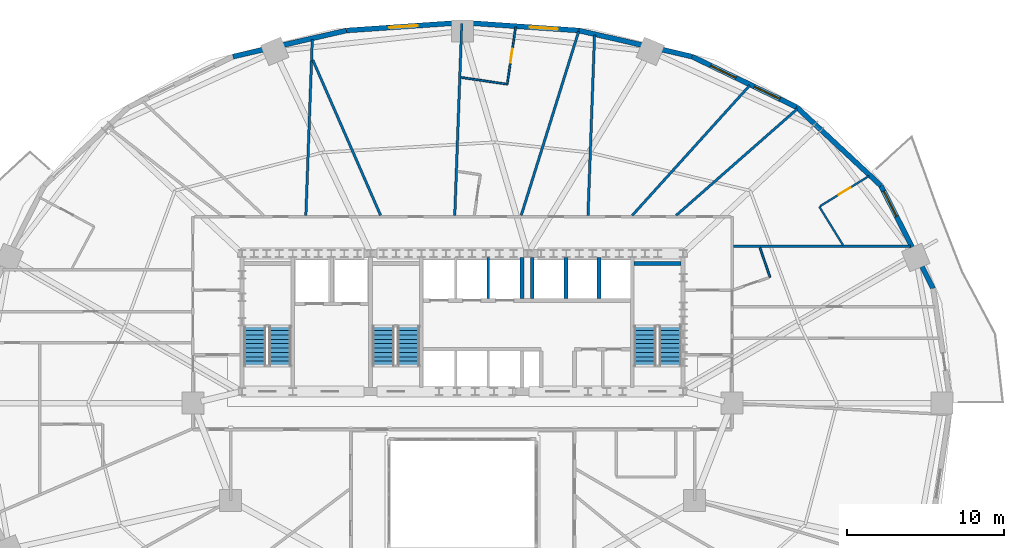
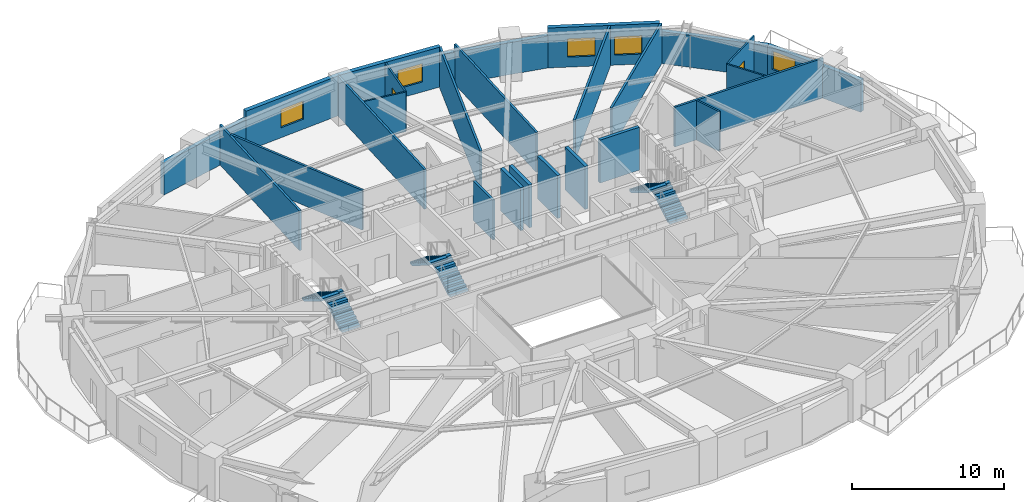
# One storey, part 13 of 17: 26 walls, 6 stair flights, 5 windows, 2 doors, 7 openings, 3 elements without a shape of their own.
"""IFC4 building model written with IfcOpenShell, lengths in metres."""

from ifc_helpers import new_model, si_unit, direction, frame, frame_2d, origin, place, context, subcontext, project, spatial, polyline, rectangle, outline, extrude, material, layer, layer_set, type_object, element, fill, aggregate, save


model = new_model("IFC4")

# Units and contexts
model_context = context("Model", 3, precision=1e-05, world=origin(), true_north=direction((0.0, 1.0)))
body_context = subcontext(model_context, "Body", "Model", "MODEL_VIEW")
ifc_project = project(units=[si_unit("LENGTHUNIT", "METRE"), si_unit("AREAUNIT", "SQUARE_METRE"), si_unit("VOLUMEUNIT", "CUBIC_METRE"), si_unit("PLANEANGLEUNIT", "RADIAN"), si_unit("MASSUNIT", "GRAM", prefix="KILO")], contexts=[model_context])

# Site, building, storey
site_placement = place(None, origin())
site = spatial("IfcSite", under=ifc_project, at=site_placement, CompositionType="ELEMENT")
building_placement = place(site_placement, origin())
building = spatial("IfcBuilding", under=site, at=building_placement, Name="Haldorwick Loom Tower", CompositionType="ELEMENT")
storey_placement = place(building_placement, frame((0.0, 0.0, 44.699951171875)))
storey = spatial("IfcBuildingStorey", under=building, at=storey_placement, Name="L11", CompositionType="ELEMENT", Elevation=44.699951171875)

# Wall, opening, window
ifc_material_1 = material(Name="Pressed Clay Face Brick and Insulated Masonry Backup Assembly", Category="masonry")
ifc_layer_1 = layer(ifc_material_1, 0.320068359375, Name="Pressed Clay Face Brick and Insulated Masonry Backup Assembly", Category="masonry")
ifc_layer_set_1 = layer_set([ifc_layer_1], Name="Pressed Clay Face Brick and Insulated Masonry Backup Assembly")
wall_type_1 = type_object("IfcWallType", Name="ARC-WL-EXT320", PredefinedType="STANDARD", material=ifc_layer_set_1)
wall_1_placement = place(storey_placement, frame((66.021728515625, 33.320556640625, 0.0), z_axis=(0.0, 0.0, 1.0), x_axis=(-0.452950855928, 0.891535485617, 0.0)))
wall_1 = element("IfcWall", 1, at=wall_1_placement, inside=storey, type_object=wall_type_1, Name="L11 Brick Pier and Spandrel Wall 2", PredefinedType="STANDARD", context=body_context, shape_type="SweptSolid", body=[
    extrude(rectangle(XDim=7.3583984375, YDim=0.320068359375, at=frame_2d((3.67919921875, 0.0))), origin(), (0.0, 0.0, 1.0), 2.569091796875),
])
opening_1_placement = place(wall_1_placement, frame((5.158203125, 0.0, 0.800048828125)))
opening_1 = element("IfcOpeningElement", 2, at=opening_1_placement, cuts=wall_1, Name="Opening W-01", PredefinedType="OPENING", context=body_context, shape_type="SweptSolid", body=[
    extrude(rectangle(XDim=1.800048828125, YDim=1.47998046875, at=frame_2d((0.89990234375, 0.739990234375))), frame((0.0, 0.169921875, 0.0), z_axis=(0.0, -1.0, 0.0), x_axis=(1.0, 0.0, 0.0)), (0.0, 0.0, 1.0), 0.340087890625),
])
ifc_material_2 = material(Name="Triple-Glazed Low-E Argon Insulated Glazing Unit", Category="glass")
window_type = type_object("IfcWindowType", Name="ARC-WIN-W180", PartitioningType="SINGLE_PANEL", PredefinedType="WINDOW", material=ifc_material_2)
window_1_placement = place(opening_1_placement, origin())
window_1 = element("IfcWindow", 3, at=window_1_placement, inside=storey, type_object=window_type, Name="L11 Deep-Set Zone 7A Window 2", OverallHeight=1.47998046875, OverallWidth=1.800048828125, PartitioningType="SINGLE_PANEL", PredefinedType="WINDOW", context=body_context, shape_type="SweptSolid", body=[
    extrude(rectangle(XDim=1.800048828125, YDim=1.47998046875, at=frame_2d((0.89990234375, 0.739990234375))), frame((0.0, 0.030029296875, 0.0), z_axis=(0.0, -1.0, 0.0), x_axis=(1.0, 0.0, 0.0)), (0.0, 0.0, 1.0), 0.06005859375),
])
fill(opening_1, window_1)

# Wall
wall_2_placement = place(storey_placement, frame((62.688720703125, 39.880859375, 0.0), z_axis=(0.0, 0.0, 1.0), x_axis=(-0.73176101237, 0.681561311091, 0.0)))
element("IfcWall", 4, at=wall_2_placement, inside=storey, type_object=wall_type_1, Name="L11 Brick Pier and Spandrel Wall 3", PredefinedType="STANDARD", context=body_context, shape_type="SweptSolid", body=[
    extrude(rectangle(XDim=7.3583984375, YDim=0.320068359375, at=frame_2d((3.67919921875, 0.0))), origin(), (0.0, 0.0, 1.0), 2.569091796875),
])

# Wall, openings, windows
wall_3_placement = place(storey_placement, frame((57.30419921875, 44.89599609375, 0.0), z_axis=(0.0, 0.0, 1.0), x_axis=(-0.900295710431, 0.435278800057, 0.0)))
wall_3 = element("IfcWall", 5, at=wall_3_placement, inside=storey, type_object=wall_type_1, Name="L11 Brick Pier and Spandrel Wall 4", PredefinedType="STANDARD", context=body_context, shape_type="SweptSolid", body=[
    extrude(rectangle(XDim=7.39697265625, YDim=0.320068359375, at=frame_2d((3.698486328125, 0.0))), origin(), (0.0, 0.0, 1.0), 3.2099609375),
])
opening_2_placement = place(wall_3_placement, frame((1.179443359375, 0.0, 0.800048828125)))
opening_2 = element("IfcOpeningElement", 6, at=opening_2_placement, cuts=wall_3, Name="Opening W-01", PredefinedType="OPENING", context=body_context, shape_type="SweptSolid", body=[
    extrude(rectangle(XDim=1.800048828125, YDim=1.47998046875, at=frame_2d((0.89990234375, 0.739990234375))), frame((0.0, 0.169921875, 0.0), z_axis=(0.0, -1.0, 0.0), x_axis=(1.0, 0.0, 0.0)), (0.0, 0.0, 1.0), 0.340087890625),
])
opening_3_placement = place(wall_3_placement, frame((4.27783203125, 0.0, 0.800048828125)))
opening_3 = element("IfcOpeningElement", 7, at=opening_3_placement, cuts=wall_3, Name="Opening W-01", PredefinedType="OPENING", context=body_context, shape_type="SweptSolid", body=[
    extrude(rectangle(XDim=1.800048828125, YDim=1.47998046875, at=frame_2d((0.89990234375, 0.739990234375))), frame((0.0, 0.169921875, 0.0), z_axis=(0.0, -1.0, 0.0), x_axis=(1.0, 0.0, 0.0)), (0.0, 0.0, 1.0), 0.340087890625),
])
window_2_placement = place(opening_2_placement, origin())
window_2 = element("IfcWindow", 8, at=window_2_placement, inside=storey, type_object=window_type, Name="L11 Deep-Set Zone 7A Window 4", OverallHeight=1.47998046875, OverallWidth=1.800048828125, PartitioningType="SINGLE_PANEL", PredefinedType="WINDOW", context=body_context, shape_type="SweptSolid", body=[
    extrude(rectangle(XDim=1.800048828125, YDim=1.47998046875, at=frame_2d((0.89990234375, 0.739990234375))), frame((0.0, 0.030029296875, 0.0), z_axis=(0.0, -1.0, 0.0), x_axis=(1.0, 0.0, 0.0)), (0.0, 0.0, 1.0), 0.06005859375),
])
fill(opening_2, window_2)
window_3_placement = place(opening_3_placement, origin())
window_3 = element("IfcWindow", 9, at=window_3_placement, inside=storey, type_object=window_type, Name="L11 Deep-Set Zone 7A Window 4", OverallHeight=1.47998046875, OverallWidth=1.800048828125, PartitioningType="SINGLE_PANEL", PredefinedType="WINDOW", context=body_context, shape_type="SweptSolid", body=[
    extrude(rectangle(XDim=1.800048828125, YDim=1.47998046875, at=frame_2d((0.89990234375, 0.739990234375))), frame((0.0, 0.030029296875, 0.0), z_axis=(0.0, -1.0, 0.0), x_axis=(1.0, 0.0, 0.0)), (0.0, 0.0, 1.0), 0.06005859375),
])
fill(opening_3, window_3)

# Wall
wall_4_placement = place(storey_placement, frame((50.644775390625, 48.11572265625, 0.0), z_axis=(0.0, 0.0, 1.0), x_axis=(-0.974522412345, 0.224290142088, 0.0)))
element("IfcWall", 10, at=wall_4_placement, inside=storey, type_object=wall_type_1, Name="L11 Brick Pier and Spandrel Wall 5", PredefinedType="STANDARD", context=body_context, shape_type="SweptSolid", body=[
    extrude(rectangle(XDim=7.422607421875, YDim=0.320068359375, at=frame_2d((3.71142578125, 0.0))), origin(), (0.0, 0.0, 1.0), 2.569091796875),
])

# Wall, opening, window
wall_5_placement = place(storey_placement, frame((43.411376953125, 49.780517578125, 0.0), z_axis=(0.0, 0.0, 1.0), x_axis=(-0.997645161917, 0.068586667092, 0.0)))
wall_5 = element("IfcWall", 11, at=wall_5_placement, inside=storey, type_object=wall_type_1, Name="L11 Brick Pier and Spandrel Wall 6", PredefinedType="STANDARD", context=body_context, shape_type="SweptSolid", body=[
    extrude(rectangle(XDim=7.428955078125, YDim=0.320068359375, at=frame_2d((3.71435546875, 0.0))), origin(), (0.0, 0.0, 1.0), 3.2099609375),
])
opening_4_placement = place(wall_5_placement, frame((1.32861328125, 0.0, 0.800048828125)))
opening_4 = element("IfcOpeningElement", 12, at=opening_4_placement, cuts=wall_5, Name="Opening W-01", PredefinedType="OPENING", context=body_context, shape_type="SweptSolid", body=[
    extrude(rectangle(XDim=1.800048828125, YDim=1.47998046875, at=frame_2d((0.89990234375, 0.739990234375))), frame((0.0, 0.169921875, 0.0), z_axis=(0.0, -1.0, 0.0), x_axis=(1.0, 0.0, 0.0)), (0.0, 0.0, 1.0), 0.340087890625),
])
window_4_placement = place(opening_4_placement, origin())
window_4 = element("IfcWindow", 13, at=window_4_placement, inside=storey, type_object=window_type, Name="L11 Deep-Set Zone 7A Window 6", OverallHeight=1.47998046875, OverallWidth=1.800048828125, PartitioningType="SINGLE_PANEL", PredefinedType="WINDOW", context=body_context, shape_type="SweptSolid", body=[
    extrude(rectangle(XDim=1.800048828125, YDim=1.47998046875, at=frame_2d((0.89990234375, 0.739990234375))), frame((0.0, 0.030029296875, 0.0), z_axis=(0.0, -1.0, 0.0), x_axis=(1.0, 0.0, 0.0)), (0.0, 0.0, 1.0), 0.06005859375),
])
fill(opening_4, window_4)

wall_6_placement = place(storey_placement, frame((36.0, 50.2900390625, 0.0), z_axis=(0.0, 0.0, 1.0), x_axis=(-0.997645161917, -0.068586667092, 0.0)))
wall_6 = element("IfcWall", 14, at=wall_6_placement, inside=storey, type_object=wall_type_1, Name="L11 Brick Pier and Spandrel Wall 7", PredefinedType="STANDARD", context=body_context, shape_type="SweptSolid", body=[
    extrude(rectangle(XDim=7.428955078125, YDim=0.320068359375, at=frame_2d((3.71435546875, 0.0))), origin(), (0.0, 0.0, 1.0), 3.2099609375),
])
opening_5_placement = place(wall_6_placement, frame((2.874755859375, 0.0, 0.800048828125)))
opening_5 = element("IfcOpeningElement", 15, at=opening_5_placement, cuts=wall_6, Name="Opening W-01", PredefinedType="OPENING", context=body_context, shape_type="SweptSolid", body=[
    extrude(rectangle(XDim=1.800048828125, YDim=1.47998046875, at=frame_2d((0.89990234375, 0.739990234375))), frame((0.0, 0.169921875, 0.0), z_axis=(0.0, -1.0, 0.0), x_axis=(1.0, 0.0, 0.0)), (0.0, 0.0, 1.0), 0.340087890625),
])
window_5_placement = place(opening_5_placement, origin())
window_5 = element("IfcWindow", 16, at=window_5_placement, inside=storey, type_object=window_type, Name="L11 Deep-Set Zone 7A Window 7", OverallHeight=1.47998046875, OverallWidth=1.800048828125, PartitioningType="SINGLE_PANEL", PredefinedType="WINDOW", context=body_context, shape_type="SweptSolid", body=[
    extrude(rectangle(XDim=1.800048828125, YDim=1.47998046875, at=frame_2d((0.89990234375, 0.739990234375))), frame((0.0, 0.030029296875, 0.0), z_axis=(0.0, -1.0, 0.0), x_axis=(1.0, 0.0, 0.0)), (0.0, 0.0, 1.0), 0.06005859375),
])
fill(opening_5, window_5)

# Walls
wall_7_placement = place(storey_placement, frame((28.588623046875, 49.780517578125, 0.0), z_axis=(0.0, 0.0, 1.0), x_axis=(-0.974522412345, -0.224290142088, 0.0)))
element("IfcWall", 17, at=wall_7_placement, inside=storey, type_object=wall_type_1, Name="L11 Brick Pier and Spandrel Wall 8", PredefinedType="STANDARD", context=body_context, shape_type="SweptSolid", body=[
    extrude(rectangle(XDim=7.422607421875, YDim=0.320068359375, at=frame_2d((3.71142578125, 0.0))), origin(), (0.0, 0.0, 1.0), 2.569091796875),
])
ifc_material_3 = material(Name="Fire-Rated Type X Gypsum Stud Assembly EI 60")
ifc_layer_2 = layer(ifc_material_3, 0.159912109375, Name="Fire-Rated Type X Gypsum Stud Assembly EI 60")
ifc_layer_set_2 = layer_set([ifc_layer_2], Name="Fire-Rated Type X Gypsum Stud Assembly EI 60")
wall_type_2 = type_object("IfcWallType", Name="ARC-WL-FIRE160", PredefinedType="PARTITIONING", material=ifc_layer_set_2)
wall_8_placement = place(storey_placement, frame((26.0029296875, 37.98291015625, 0.0), z_axis=(0.0, 0.0, 1.0), x_axis=(0.036390507354, 0.999337646131, 0.0)))
element("IfcWall", 18, at=wall_8_placement, inside=storey, type_object=wall_type_2, Name="L11 Residential Fire Partition L11-UPN-12", PredefinedType="PARTITIONING", context=body_context, shape_type="SweptSolid", body=[
    extrude(rectangle(XDim=11.2373046875, YDim=0.159912109375, at=frame_2d((5.61865234375, 0.0))), origin(), (0.0, 0.0, 1.0), 3.195068359375),
])
wall_9_placement = place(storey_placement, frame((35.5029296875, 37.98291015625, 0.0), z_axis=(0.0, 0.0, 1.0), x_axis=(0.036382694768, 0.999337930593, 0.0)))
element("IfcWall", 19, at=wall_9_placement, inside=storey, type_object=wall_type_2, Name="L11 Residential Fire Partition L11-UPN-13", PredefinedType="PARTITIONING", context=body_context, shape_type="SweptSolid", body=[
    extrude(rectangle(XDim=12.246337890625, YDim=0.159912109375, at=frame_2d((6.123046875, 0.0))), origin(), (0.0, 0.0, 1.0), 3.195068359375),
])
wall_10_placement = place(storey_placement, frame((44.0029296875, 37.98291015625, 0.0), z_axis=(0.0, 0.0, 1.0), x_axis=(0.036368899796, 0.999338432728, 0.0)))
element("IfcWall", 20, at=wall_10_placement, inside=storey, type_object=wall_type_2, Name="L11 Residential Fire Partition L11-UPN-14", PredefinedType="PARTITIONING", context=body_context, shape_type="SweptSolid", body=[
    extrude(rectangle(XDim=11.505859375, YDim=0.159912109375, at=frame_2d((5.7529296875, 0.0))), origin(), (0.0, 0.0, 1.0), 3.195068359375),
])
wall_11_placement = place(storey_placement, frame((53.282958984375, 36.0, 0.0), z_axis=(0.0, 0.0, 1.0), x_axis=(1.0, 0.0, 0.0)))
element("IfcWall", 21, at=wall_11_placement, inside=storey, type_object=wall_type_2, Name="L11 Residential Fire Partition L11-FLE-18", PredefinedType="PARTITIONING", context=body_context, shape_type="SweptSolid", body=[
    extrude(rectangle(XDim=11.3046875, YDim=0.159912109375, at=frame_2d((5.65234375, 0.0))), origin(), (0.0, 0.0, 1.0), 3.195068359375),
])
wall_12_placement = place(storey_placement, frame((49.6298828125, 37.98291015625, 0.0), z_axis=(0.0, 0.0, 1.0), x_axis=(0.75101886285, 0.660280749109, 0.0)))
element("IfcWall", 22, at=wall_12_placement, inside=storey, type_object=wall_type_2, Name="L11 Suite Split Wall", PredefinedType="PARTITIONING", context=body_context, shape_type="SweptSolid", body=[
    extrude(rectangle(XDim=10.275390625, YDim=0.159912109375, at=frame_2d((5.1376953125, 0.0))), origin(), (0.0, 0.0, 1.0), 3.195068359375),
])
wall_13_placement = place(storey_placement, frame((30.7705078125, 37.98291015625, 0.0), z_axis=(0.0, 0.0, 1.0), x_axis=(-0.399972741416, 0.91652703513, 0.0)))
element("IfcWall", 23, at=wall_13_placement, inside=storey, type_object=wall_type_2, Name="L11 Suite Split Wall", PredefinedType="PARTITIONING", context=body_context, shape_type="SweptSolid", body=[
    extrude(rectangle(XDim=10.81005859375, YDim=0.159912109375, at=frame_2d((5.405029296875, 0.0))), origin(), (0.0, 0.0, 1.0), 3.195068359375),
])
wall_14_placement = place(storey_placement, frame((39.742919921875, 37.98291015625, 0.0), z_axis=(0.0, 0.0, 1.0), x_axis=(0.298120035283, 0.954528388558, 0.0)))
element("IfcWall", 24, at=wall_14_placement, inside=storey, type_object=wall_type_2, Name="L11 Suite Split Wall", PredefinedType="PARTITIONING", context=body_context, shape_type="SweptSolid", body=[
    extrude(rectangle(XDim=12.29052734375, YDim=0.159912109375, at=frame_2d((6.145263671875, 0.0))), origin(), (0.0, 0.0, 1.0), 3.195068359375),
])
wall_15_placement = place(storey_placement, frame((46.827880859375, 37.98291015625, 0.0), z_axis=(0.0, 0.0, 1.0), x_axis=(0.670436929303, 0.741966524734, 0.0)))
element("IfcWall", 25, at=wall_15_placement, inside=storey, type_object=wall_type_2, Name="L11 Suite Split Wall", PredefinedType="PARTITIONING", context=body_context, shape_type="SweptSolid", body=[
    extrude(rectangle(XDim=11.167724609375, YDim=0.159912109375, at=frame_2d((5.583984375, 0.0))), origin(), (0.0, 0.0, 1.0), 3.195068359375),
])
ifc_material_4 = material(Name="Acoustic Gypsum Stud Assembly STC 55")
ifc_layer_3 = layer(ifc_material_4, 0.1201171875, Name="Acoustic Gypsum Stud Assembly STC 55")
ifc_layer_set_3 = layer_set([ifc_layer_3], Name="Acoustic Gypsum Stud Assembly STC 55")
wall_type_3 = type_object("IfcWallType", Name="ARC-WL-PART120", PredefinedType="PARTITIONING", material=ifc_layer_set_3)
wall_16_placement = place(storey_placement, frame((55.62060546875, 34.037353515625, 0.0), z_axis=(0.0, 0.0, 1.0), x_axis=(-0.325021407857, 0.945706658766, 0.0)))
element("IfcWall", 26, at=wall_16_placement, inside=storey, type_object=wall_type_3, Name="L11 Unit 11C Interior Partition", PredefinedType="PARTITIONING", context=body_context, shape_type="SweptSolid", body=[
    extrude(rectangle(XDim=1.987548828125, YDim=0.1201171875, at=frame_2d((0.99365234375, 0.0))), origin(), (0.0, 0.0, 1.0), 3.195068359375),
])
wall_17_placement = place(storey_placement, frame((60.2763671875, 36.0830078125, 0.0), z_axis=(0.0, 0.0, 1.0), x_axis=(-0.524795751414, 0.851228182862, 0.0)))
element("IfcWall", 27, at=wall_17_placement, inside=storey, type_object=wall_type_3, Name="L11 Unit 11E Interior Partition", PredefinedType="PARTITIONING", context=body_context, shape_type="SweptSolid", body=[
    extrude(rectangle(XDim=2.88623046875, YDim=0.1201171875, at=frame_2d((1.443115234375, 0.0))), origin(), (0.0, 0.0, 1.0), 3.195068359375),
])

# Wall, opening, door
wall_18_placement = place(storey_placement, frame((58.8154296875, 38.57275390625, 0.0), z_axis=(0.0, 0.0, 1.0), x_axis=(0.851250755526, 0.524759136382, 0.0)))
wall_18 = element("IfcWall", 28, at=wall_18_placement, inside=storey, type_object=wall_type_3, Name="L11 Unit 11E Interior Partition", PredefinedType="PARTITIONING", context=body_context, shape_type="SweptSolid", body=[
    extrude(rectangle(XDim=3.663330078125, YDim=0.1201171875, at=frame_2d((1.83154296875, 0.0))), origin(), (0.0, 0.0, 1.0), 3.195068359375),
])
opening_6_placement = place(wall_18_placement, frame((1.3916015625, 0.0, 0.0)))
opening_6 = element("IfcOpeningElement", 29, at=opening_6_placement, cuts=wall_18, Name="Opening D-BT88", PredefinedType="OPENING", context=body_context, shape_type="SweptSolid", body=[
    extrude(rectangle(XDim=0.8798828125, YDim=2.02001953125, at=frame_2d((0.43994140625, 1.010009765625))), frame((0.0, 0.070068359375, 0.0), z_axis=(0.0, -1.0, 0.0), x_axis=(1.0, 0.0, 0.0)), (0.0, 0.0, 1.0), 0.14013671875),
])
ifc_material_5 = material(Name="Solid Core Birch Architectural Door")
door_type_1 = type_object("IfcDoorType", Name="ARC-DR-BATH88", OperationType="NOTDEFINED", PredefinedType="DOOR", material=ifc_material_5)
door_1_placement = place(opening_6_placement, origin())
door_1 = element("IfcDoor", 30, at=door_1_placement, inside=storey, type_object=door_type_1, Name="L11 Unit 11E Kitchen and Studio Living Room to Unit 11E Bathroom Door", OperationType="SINGLE_SWING_LEFT", OverallHeight=2.02001953125, OverallWidth=0.8798828125, PredefinedType="DOOR", context=body_context, shape_type="SweptSolid", body=[
    extrude(rectangle(XDim=0.8798828125, YDim=2.02001953125, at=frame_2d((0.43994140625, 1.010009765625))), frame((0.0, 0.02490234375, 0.0), z_axis=(0.0, -1.0, 0.0), x_axis=(1.0, 0.0, 0.0)), (0.0, 0.0, 1.0), 0.050048828125),
])
fill(opening_6, door_1)

# Wall
wall_19_placement = place(storey_placement, frame((38.8505859375, 46.352783203125, 0.0), z_axis=(0.0, 0.0, 1.0), x_axis=(-0.989316370955, 0.145784492179, 0.0)))
element("IfcWall", 31, at=wall_19_placement, inside=storey, type_object=wall_type_3, Name="L11 Unit 11G Interior Partition", PredefinedType="PARTITIONING", context=body_context, shape_type="SweptSolid", body=[
    extrude(rectangle(XDim=2.975830078125, YDim=0.1201171875, at=frame_2d((1.48779296875, 0.0))), origin(), (0.0, 0.0, 1.0), 3.195068359375),
])

# Wall, opening, door
wall_20_placement = place(storey_placement, frame((38.8505859375, 46.352783203125, 0.0), z_axis=(0.0, 0.0, 1.0), x_axis=(0.145750026983, 0.989321449092, 0.0)))
wall_20 = element("IfcWall", 32, at=wall_20_placement, inside=storey, type_object=wall_type_3, Name="L11 Unit 11G Interior Partition", PredefinedType="PARTITIONING", context=body_context, shape_type="SweptSolid", body=[
    extrude(rectangle(XDim=3.678466796875, YDim=0.1201171875, at=frame_2d((1.83935546875, 0.0))), origin(), (0.0, 0.0, 1.0), 3.195068359375),
])
opening_7_placement = place(wall_20_placement, frame((1.38916015625, 0.0, 0.0)))
opening_7 = element("IfcOpeningElement", 33, at=opening_7_placement, cuts=wall_20, Name="Opening D-IN90", PredefinedType="OPENING", context=body_context, shape_type="SweptSolid", body=[
    extrude(rectangle(XDim=0.89990234375, YDim=2.0400390625, at=frame_2d((0.449951171875, 1.02001953125))), frame((0.0, 0.070068359375, 0.0), z_axis=(0.0, -1.0, 0.0), x_axis=(1.0, 0.0, 0.0)), (0.0, 0.0, 1.0), 0.14013671875),
])
door_type_2 = type_object("IfcDoorType", Name="ARC-DR-INT90", OperationType="NOTDEFINED", PredefinedType="DOOR", material=ifc_material_5)
door_2_placement = place(opening_7_placement, origin())
door_2 = element("IfcDoor", 34, at=door_2_placement, inside=storey, type_object=door_type_2, Name="L11 Unit 11G Bedroom 1 to Unit 11G Kitchen and Living Room Door", OperationType="SINGLE_SWING_RIGHT", OverallHeight=2.0400390625, OverallWidth=0.89990234375, PredefinedType="DOOR", context=body_context, shape_type="SweptSolid", body=[
    extrude(rectangle(XDim=0.89990234375, YDim=2.0400390625, at=frame_2d((0.449951171875, 1.02001953125))), frame((0.0, 0.02490234375, 0.0), z_axis=(0.0, -1.0, 0.0), x_axis=(1.0, 0.0, 0.0)), (0.0, 0.0, 1.0), 0.050048828125),
])
fill(opening_7, door_2)

# Walls
ifc_material_6 = material(Name="Fire-Rated Type X Gypsum Stud Assembly EI 120")
ifc_layer_4 = layer(ifc_material_6, 0.1650390625, Name="Fire-Rated Type X Gypsum Stud Assembly EI 120")
ifc_layer_set_4 = layer_set([ifc_layer_4], Name="Fire-Rated Type X Gypsum Stud Assembly EI 120")
wall_type_4 = type_object("IfcWallType", Name="ARC-WL-SHAFT160", PredefinedType="MOVABLE", material=ifc_layer_set_4)
wall_21_placement = place(storey_placement, frame((37.64990234375, 32.673095703125, 0.0), z_axis=(0.0, 0.0, 1.0), x_axis=(0.0, 1.0, 0.0)))
element("IfcWall", 35, at=wall_21_placement, inside=storey, type_object=wall_type_4, Name="L11 Low-Rise Hoistway Divider 2", PredefinedType="MOVABLE", context=body_context, shape_type="SweptSolid", body=[
    extrude(rectangle(XDim=2.6240234375, YDim=0.159912109375, at=frame_2d((1.31201171875, 0.0))), origin(), (0.0, 0.0, 1.0), 3.195068359375),
])
ifc_material_7 = material(Name="Concrete C50 (50 MPa)", Category="concrete")
ifc_layer_5 = layer(ifc_material_7, 0.239990234375, Name="Concrete C50 (50 MPa)", Category="concrete")
ifc_layer_set_5 = layer_set([ifc_layer_5], Name="Concrete C50 (50 MPa)")
wall_type_5 = type_object("IfcWallType", Name="STR-WL-SHAFT240", PredefinedType="SHEAR", material=ifc_layer_set_5)
wall_22_placement = place(storey_placement, frame((46.952880859375, 34.919921875, 0.0), z_axis=(0.0, 0.0, 1.0), x_axis=(1.0, 0.0, 0.0)))
element("IfcWall", 36, at=wall_22_placement, inside=storey, type_object=wall_type_5, Name="L11 Core Shear Wall 4N", PredefinedType="SHEAR", context=body_context, shape_type="SweptSolid", body=[
    extrude(rectangle(XDim=2.994140625, YDim=0.239990234375, at=frame_2d((1.4970703125, 0.0))), origin(), (0.0, 0.0, 1.0), 3.449951171875),
])
for number, where, z_axis, x_axis, name in (
    (37, (39.800048828125, 32.673095703125, 0.0), (0.0, 0.0, 1.0), (0.0, 1.0, 0.0), "L11 Core Shear Wall LHW"),
    (38, (40.449951171875, 32.673095703125, 0.0), (0.0, 0.0, 1.0), (0.0, 1.0, 0.0), "L11 Core Shear Wall H0"),
    (39, (42.60009765625, 32.673095703125, 0.0), (0.0, 0.0, 1.0), (0.0, 1.0, 0.0), "L11 Core Shear Wall H1"),
    (40, (44.699951171875, 32.673095703125, 0.0), (0.0, 0.0, 1.0), (0.0, 1.0, 0.0), "L11 Core Shear Wall H2"),
):
    element("IfcWall", number, at=place(storey_placement, frame(where, z_axis=z_axis, x_axis=x_axis)), inside=storey, type_object=wall_type_5, Name=name, PredefinedType="SHEAR", context=body_context, shape_type="SweptSolid", body=[
        extrude(rectangle(XDim=2.6240234375, YDim=0.239990234375, at=frame_2d((1.31201171875, 0.0))), origin(), (0.0, 0.0, 1.0), 3.449951171875),
    ])

# Stair, stair flights
ifc_material_8 = material(Name="Concrete C40 (40 MPa)", Category="concrete")
stair_type = type_object("IfcStairType", Name="STR-STR-CORE", PredefinedType="HALF_TURN_STAIR", material=ifc_material_8)
stair_1_placement = place(storey_placement, origin())
stair_1 = element("IfcStair", 41, at=stair_1_placement, inside=storey, type_object=stair_type, Name="L11 Exit Stair ST-01", PredefinedType="HALF_TURN_STAIR")
stair_flight_type = type_object("IfcStairFlightType", Name="STR-STF-1250", PredefinedType="STRAIGHT", material=ifc_material_8)
stair_flight_1_placement = place(storey_placement, frame((24.35009765625, 28.39990234375, 0.0), z_axis=(0.0, 0.0, 1.0), x_axis=(0.0, 1.0, 0.0)))
stair_flight_1 = element("IfcStairFlight", 42, at=stair_flight_1_placement, type_object=stair_flight_type, Name="ST-01 flight 1", NumberOfRisers=10, NumberOfTreads=9, PredefinedType="STRAIGHT", RiserHeight=0.1725, TreadLength=0.28, context=body_context, shape_type="SweptSolid", body=[
    extrude(outline(polyline([(0.0, 0.0), (0.0, 0.172607421875), (0.280029296875, 0.172607421875), (0.280029296875, 0.344970703125), (0.56005859375, 0.344970703125), (0.56005859375, 0.517578125), (0.840087890625, 0.517578125), (0.840087890625, 0.68994140625), (1.1201171875, 0.68994140625), (1.1201171875, 0.862548828125), (1.39990234375, 0.862548828125), (1.39990234375, 1.034912109375), (1.679931640625, 1.034912109375), (1.679931640625, 1.20751953125), (1.9599609375, 1.20751953125), (1.9599609375, 1.3798828125), (2.239990234375, 1.3798828125), (2.239990234375, 1.552490234375), (2.52001953125, 1.552490234375), (2.52001953125, 1.72509765625), (2.52001953125, 1.37646484375), (0.285888671875, 0.0), (0.0, 0.0)])), frame((0.0, 0.699951171875, 0.0), z_axis=(0.0, -1.0, 0.0), x_axis=(1.0, 0.0, 0.0)), (0.0, 0.0, 1.0), 1.39990234375),
])
stair_flight_2_placement = place(storey_placement, frame((22.75, 30.919921875, 1.72509765625), z_axis=(0.0, 0.0, 1.0), x_axis=(0.0, -1.0, 0.0)))
stair_flight_2 = element("IfcStairFlight", 43, at=stair_flight_2_placement, type_object=stair_flight_type, Name="ST-01 flight 2", NumberOfRisers=10, NumberOfTreads=9, PredefinedType="STRAIGHT", RiserHeight=0.1725, TreadLength=0.28, context=body_context, shape_type="SweptSolid", body=[
    extrude(outline(polyline([(0.0, 0.0), (0.0, 0.172607421875), (0.280029296875, 0.172607421875), (0.280029296875, 0.344970703125), (0.56005859375, 0.344970703125), (0.56005859375, 0.517578125), (0.840087890625, 0.517578125), (0.840087890625, 0.68994140625), (1.1201171875, 0.68994140625), (1.1201171875, 0.862548828125), (1.39990234375, 0.862548828125), (1.39990234375, 1.034912109375), (1.679931640625, 1.034912109375), (1.679931640625, 1.20751953125), (1.9599609375, 1.20751953125), (1.9599609375, 1.3798828125), (2.239990234375, 1.3798828125), (2.239990234375, 1.552490234375), (2.52001953125, 1.552490234375), (2.52001953125, 1.72509765625), (2.52001953125, 1.37646484375), (0.285888671875, 0.0), (0.0, 0.0)])), frame((0.0, 0.699951171875, 0.0), z_axis=(0.0, -1.0, 0.0), x_axis=(1.0, 0.0, 0.0)), (0.0, 0.0, 1.0), 1.39990234375),
])
aggregate(stair_1, [stair_flight_1, stair_flight_2])

stair_2_placement = place(storey_placement, origin())
stair_2 = element("IfcStair", 44, at=stair_2_placement, inside=storey, type_object=stair_type, Name="L11 Exit Stair ST-02", PredefinedType="HALF_TURN_STAIR")
stair_flight_3_placement = place(storey_placement, frame((49.25, 28.39990234375, 0.0), z_axis=(0.0, 0.0, 1.0), x_axis=(0.0, 1.0, 0.0)))
stair_flight_3 = element("IfcStairFlight", 45, at=stair_flight_3_placement, type_object=stair_flight_type, Name="ST-02 flight 1", NumberOfRisers=10, NumberOfTreads=9, PredefinedType="STRAIGHT", RiserHeight=0.1725, TreadLength=0.28, context=body_context, shape_type="SweptSolid", body=[
    extrude(outline(polyline([(0.0, 0.0), (0.0, 0.172607421875), (0.280029296875, 0.172607421875), (0.280029296875, 0.344970703125), (0.56005859375, 0.344970703125), (0.56005859375, 0.517578125), (0.840087890625, 0.517578125), (0.840087890625, 0.68994140625), (1.1201171875, 0.68994140625), (1.1201171875, 0.862548828125), (1.39990234375, 0.862548828125), (1.39990234375, 1.034912109375), (1.679931640625, 1.034912109375), (1.679931640625, 1.20751953125), (1.9599609375, 1.20751953125), (1.9599609375, 1.3798828125), (2.239990234375, 1.3798828125), (2.239990234375, 1.552490234375), (2.52001953125, 1.552490234375), (2.52001953125, 1.72509765625), (2.52001953125, 1.37646484375), (0.285888671875, 0.0), (0.0, 0.0)])), frame((0.0, 0.699951171875, 0.0), z_axis=(0.0, -1.0, 0.0), x_axis=(1.0, 0.0, 0.0)), (0.0, 0.0, 1.0), 1.39990234375),
])
stair_flight_4_placement = place(storey_placement, frame((47.64990234375, 30.919921875, 1.72509765625), z_axis=(0.0, 0.0, 1.0), x_axis=(0.0, -1.0, 0.0)))
stair_flight_4 = element("IfcStairFlight", 46, at=stair_flight_4_placement, type_object=stair_flight_type, Name="ST-02 flight 2", NumberOfRisers=10, NumberOfTreads=9, PredefinedType="STRAIGHT", RiserHeight=0.1725, TreadLength=0.28, context=body_context, shape_type="SweptSolid", body=[
    extrude(outline(polyline([(0.0, 0.0), (0.0, 0.172607421875), (0.280029296875, 0.172607421875), (0.280029296875, 0.344970703125), (0.56005859375, 0.344970703125), (0.56005859375, 0.517578125), (0.840087890625, 0.517578125), (0.840087890625, 0.68994140625), (1.1201171875, 0.68994140625), (1.1201171875, 0.862548828125), (1.39990234375, 0.862548828125), (1.39990234375, 1.034912109375), (1.679931640625, 1.034912109375), (1.679931640625, 1.20751953125), (1.9599609375, 1.20751953125), (1.9599609375, 1.3798828125), (2.239990234375, 1.3798828125), (2.239990234375, 1.552490234375), (2.52001953125, 1.552490234375), (2.52001953125, 1.72509765625), (2.52001953125, 1.37646484375), (0.285888671875, 0.0), (0.0, 0.0)])), frame((0.0, 0.699951171875, 0.0), z_axis=(0.0, -1.0, 0.0), x_axis=(1.0, 0.0, 0.0)), (0.0, 0.0, 1.0), 1.39990234375),
])
aggregate(stair_2, [stair_flight_3, stair_flight_4])

stair_3_placement = place(storey_placement, origin())
stair_3 = element("IfcStair", 47, at=stair_3_placement, inside=storey, type_object=stair_type, Name="L11 Exit Stair ST-03", PredefinedType="HALF_TURN_STAIR")
stair_flight_5_placement = place(storey_placement, frame((32.550048828125, 28.39990234375, 0.0), z_axis=(0.0, 0.0, 1.0), x_axis=(0.0, 1.0, 0.0)))
stair_flight_5 = element("IfcStairFlight", 48, at=stair_flight_5_placement, type_object=stair_flight_type, Name="ST-03 flight 1", NumberOfRisers=10, NumberOfTreads=9, PredefinedType="STRAIGHT", RiserHeight=0.1725, TreadLength=0.28, context=body_context, shape_type="SweptSolid", body=[
    extrude(outline(polyline([(0.0, 0.0), (0.0, 0.172607421875), (0.280029296875, 0.172607421875), (0.280029296875, 0.344970703125), (0.56005859375, 0.344970703125), (0.56005859375, 0.517578125), (0.840087890625, 0.517578125), (0.840087890625, 0.68994140625), (1.1201171875, 0.68994140625), (1.1201171875, 0.862548828125), (1.39990234375, 0.862548828125), (1.39990234375, 1.034912109375), (1.679931640625, 1.034912109375), (1.679931640625, 1.20751953125), (1.9599609375, 1.20751953125), (1.9599609375, 1.3798828125), (2.239990234375, 1.3798828125), (2.239990234375, 1.552490234375), (2.52001953125, 1.552490234375), (2.52001953125, 1.72509765625), (2.52001953125, 1.37646484375), (0.285888671875, 0.0), (0.0, 0.0)])), frame((0.0, 0.699951171875, 0.0), z_axis=(0.0, -1.0, 0.0), x_axis=(1.0, 0.0, 0.0)), (0.0, 0.0, 1.0), 1.39990234375),
])
stair_flight_6_placement = place(storey_placement, frame((30.949951171875, 30.919921875, 1.72509765625), z_axis=(0.0, 0.0, 1.0), x_axis=(0.0, -1.0, 0.0)))
stair_flight_6 = element("IfcStairFlight", 49, at=stair_flight_6_placement, type_object=stair_flight_type, Name="ST-03 flight 2", NumberOfRisers=10, NumberOfTreads=9, PredefinedType="STRAIGHT", RiserHeight=0.1725, TreadLength=0.28, context=body_context, shape_type="SweptSolid", body=[
    extrude(outline(polyline([(0.0, 0.0), (0.0, 0.172607421875), (0.280029296875, 0.172607421875), (0.280029296875, 0.344970703125), (0.56005859375, 0.344970703125), (0.56005859375, 0.517578125), (0.840087890625, 0.517578125), (0.840087890625, 0.68994140625), (1.1201171875, 0.68994140625), (1.1201171875, 0.862548828125), (1.39990234375, 0.862548828125), (1.39990234375, 1.034912109375), (1.679931640625, 1.034912109375), (1.679931640625, 1.20751953125), (1.9599609375, 1.20751953125), (1.9599609375, 1.3798828125), (2.239990234375, 1.3798828125), (2.239990234375, 1.552490234375), (2.52001953125, 1.552490234375), (2.52001953125, 1.72509765625), (2.52001953125, 1.37646484375), (0.285888671875, 0.0), (0.0, 0.0)])), frame((0.0, 0.699951171875, 0.0), z_axis=(0.0, -1.0, 0.0), x_axis=(1.0, 0.0, 0.0)), (0.0, 0.0, 1.0), 1.39990234375),
])
aggregate(stair_3, [stair_flight_5, stair_flight_6])

save(model, "model.ifc")
